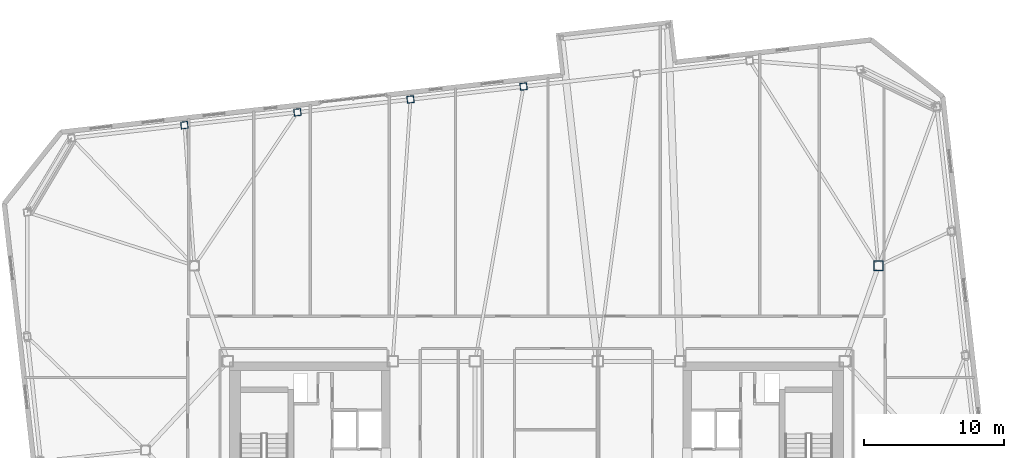
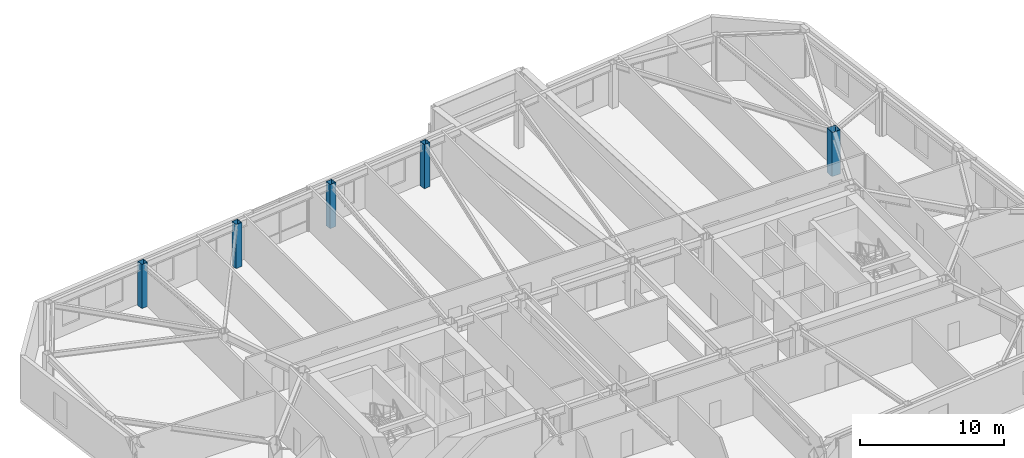
# One storey, part 2 of 19: 5 columns.
"""IFC4 building model written with IfcOpenShell, lengths in metres."""

import ifcopenshell
import ifcopenshell.guid

model = None  # the IFC model being written
_history = None  # IfcOwnerHistory: only IFC2X3 demands one
_inside = {}  # id of a spatial element -> (the spatial element, [elements in it])
_under = {}  # id of a project, library or spatial element -> (it, [spatial elements below it])
_declared = {}  # id of a project -> (the project, [libraries it declares])
_typed = {}  # id of a type object -> (the type object, [elements of that type])
_made_of = {}  # id of a material, layer set ... -> (it, [elements and type objects made of it])


def new_model(schema):
    """Start an empty IFC model of exactly this schema.

    Asked for "IFC4X3", IfcOpenShell would pick the latest addendum, in which some entities
    have other attributes; the version numbers below select the first issue.
    IFC2X3 requires an IfcOwnerHistory on every rooted entity: one is made here for all.
    """
    global model, _history
    if schema == "IFC4X3":
        model = ifcopenshell.file(schema_version=(4, 3, 0, 0))
    else:
        model = ifcopenshell.file(schema=schema)
    _inside.clear()
    _under.clear()
    _declared.clear()
    _typed.clear()
    _made_of.clear()
    _history = None
    if model.schema == "IFC2X3":
        org = make("IfcOrganization", Name="unknown")
        user = make(
            "IfcPersonAndOrganization",
            ThePerson=make("IfcPerson", FamilyName="unknown"),
            TheOrganization=org,
        )
        app = make(
            "IfcApplication",
            ApplicationDeveloper=org,
            Version="unknown",
            ApplicationFullName="unknown",
            ApplicationIdentifier="unknown",
        )
        _history = make(
            "IfcOwnerHistory",
            OwningUser=user,
            OwningApplication=app,
            ChangeAction="ADDED",
            CreationDate=0,
        )
    return model


def make(cls, **values):
    """One entity of the class cls with the attributes given. An attribute that is None is left unset."""
    return model.create_entity(
        cls, **{name: value for name, value in values.items() if value is not None}
    )


def rooted(cls, **values):
    """An entity with a GlobalId (a new one), such as an element, a storey or a relation."""
    return make(cls, GlobalId=ifcopenshell.guid.new(), OwnerHistory=_history, **values)


def si_unit(unit_type, name, prefix=None):
    """IfcSIUnit, for example si_unit("LENGTHUNIT", "METRE", prefix="MILLI")."""
    return make("IfcSIUnit", UnitType=unit_type, Prefix=prefix, Name=name)


def assignment(units):
    """IfcUnitAssignment: the units of a project."""
    return None if units is None else make("IfcUnitAssignment", Units=units)


def point(xyz):
    """IfcCartesianPoint."""
    return None if xyz is None else make("IfcCartesianPoint", Coordinates=xyz)


def direction(xyz):
    """IfcDirection."""
    return None if xyz is None else make("IfcDirection", DirectionRatios=xyz)


def frame(location, z_axis=None, x_axis=None):
    """IfcAxis2Placement3D, a coordinate frame: its origin and axes. An axis left out is left unset."""
    return make(
        "IfcAxis2Placement3D",
        Location=point(location),
        Axis=direction(z_axis),
        RefDirection=direction(x_axis),
    )


def frame_2d(location, x_axis=None):
    """IfcAxis2Placement2D, a coordinate frame in the plane: its origin and x axis."""
    return make(
        "IfcAxis2Placement2D", Location=point(location), RefDirection=direction(x_axis)
    )


def origin():
    """The frame at (0, 0, 0) with its axes left unset."""
    return frame((0.0, 0.0, 0.0))


def origin_2d():
    """The frame at (0, 0) in the plane with its x axis left unset."""
    return frame_2d((0.0, 0.0))


def place(relative_to, where):
    """IfcLocalPlacement: puts the frame where relative to a parent placement (None: the world)."""
    return make(
        "IfcLocalPlacement", PlacementRelTo=relative_to, RelativePlacement=where
    )


def context(
    kind, dimensions, precision=None, world=None, true_north=None, identifier=None
):
    """IfcGeometricRepresentationContext, for example the 3D "Model" context."""
    return make(
        "IfcGeometricRepresentationContext",
        ContextIdentifier=identifier,
        ContextType=kind,
        CoordinateSpaceDimension=dimensions,
        Precision=precision,
        WorldCoordinateSystem=world,
        TrueNorth=true_north,
    )


def subcontext(parent, identifier, kind, view, scale=None):
    """IfcGeometricRepresentationSubContext, for example "Body" below "Model"."""
    return make(
        "IfcGeometricRepresentationSubContext",
        ContextIdentifier=identifier,
        ContextType=kind,
        ParentContext=parent,
        TargetScale=scale,
        TargetView=view,
    )


def project(units=None, contexts=None):
    """IfcProject with its units and contexts."""
    return rooted(
        "IfcProject",
        Name="project",
        RepresentationContexts=contexts,
        UnitsInContext=assignment(units),
    )


def spatial(cls, under=None, at=None, **own):
    """A site, building, storey or space (cls), placed at a placement, below another one or the project."""
    s = rooted(cls, ObjectPlacement=at, **own)
    if under is not None:
        _under.setdefault(under.id(), (under, []))[1].append(s)
    return s


def profile(cls, at=None, kind="AREA", **sizes):
    """A parametric profile (cls). Its sizes go by their IFC names, for example OverallWidth=200.0."""
    return make(cls, ProfileType=kind, Position=at, **sizes)


def hollow_rectangle(**sizes):
    """IfcRectangleHollowProfileDef."""
    return profile("IfcRectangleHollowProfileDef", **sizes)


def extrude(swept, where, along, depth):
    """IfcExtrudedAreaSolid: the profile swept, set in the frame where, extruded along a direction by depth."""
    return make(
        "IfcExtrudedAreaSolid",
        SweptArea=swept,
        Position=where,
        ExtrudedDirection=direction(along),
        Depth=depth,
    )


def shape(context_of_items, identifier, shape_type, items):
    """IfcShapeRepresentation: the items that make up one representation, for example the "Body"."""
    return make(
        "IfcShapeRepresentation",
        ContextOfItems=context_of_items,
        RepresentationIdentifier=identifier,
        RepresentationType=shape_type,
        Items=items,
    )


def material(Name=None, Category=None):
    """IfcMaterial."""
    return make("IfcMaterial", Name=Name, Category=Category)


def material_profile(
    of_material, cross_section, Name=None, Category=None, Priority=None
):
    """IfcMaterialProfile: a cross section and its material."""
    return make(
        "IfcMaterialProfile",
        Name=Name,
        Material=of_material,
        Profile=cross_section,
        Priority=Priority,
        Category=Category,
    )


def profile_set(profiles, Name=None, composite=None):
    """IfcMaterialProfileSet."""
    return make(
        "IfcMaterialProfileSet",
        Name=Name,
        MaterialProfiles=profiles,
        CompositeProfile=composite,
    )


def made_of(thing, what):
    """Note that an element or type object is made of a material, layer set ...; save() writes the relation."""
    if what is not None:
        _made_of.setdefault(what.id(), (what, []))[1].append(thing)
    return thing


def type_object(cls, material=None, **own):
    """A type object (cls), such as IfcWallType, which elements share."""
    return made_of(rooted(cls, **own), material)


def element(
    cls,
    number,
    at=None,
    inside=None,
    cuts=None,
    type_object=None,
    material=None,
    context=None,
    identifier="Body",
    shape_type=None,
    held_by="IfcProductDefinitionShape",
    body=None,
    shapes=None,
    **own,
):
    """One element of the class cls, such as IfcWall. Its Tag is "e" and its number.

    at: its placement. inside: the storey or other place that contains it. cuts: it is an
    opening in that element (IfcRelVoidsElement). A single representation is given by context,
    identifier, shape_type and body (its items); several are given by shapes. held_by: the class
    of the entity that holds the representations. save() writes the other relations.
    """
    e = rooted(cls, Tag="e%d" % number, ObjectPlacement=at, **own)
    if body is not None:
        shapes = [shape(context, identifier, shape_type, body)]
    if shapes is not None:
        e.Representation = make(held_by, Representations=shapes)
    if inside is not None:
        _inside.setdefault(inside.id(), (inside, []))[1].append(e)
    if cuts is not None:
        rooted(
            "IfcRelVoidsElement", RelatingBuildingElement=cuts, RelatedOpeningElement=e
        )
    if type_object is not None:
        _typed.setdefault(type_object.id(), (type_object, []))[1].append(e)
    return made_of(e, material)


def aggregate(whole, parts):
    """IfcRelAggregates: a whole, such as a stair, and the parts it consists of."""
    return rooted("IfcRelAggregates", RelatingObject=whole, RelatedObjects=parts)


def save(model, path):
    """Write the relations noted so far, then the file.

    IfcRelAggregates (storeys below a building ...), IfcRelContainedInSpatialStructure (elements
    in a storey), IfcRelDefinesByType, IfcRelAssociatesMaterial and IfcRelDeclares: one each for
    every whole, place, type object, material and project.
    """
    for whole, parts in _under.values():
        aggregate(whole, parts)
    for where, things in _inside.values():
        rooted(
            "IfcRelContainedInSpatialStructure",
            RelatedElements=things,
            RelatingStructure=where,
        )
    for kind, things in _typed.values():
        rooted("IfcRelDefinesByType", RelatedObjects=things, RelatingType=kind)
    for what, things in _made_of.values():
        rooted("IfcRelAssociatesMaterial", RelatedObjects=things, RelatingMaterial=what)
    for by, libraries in _declared.values():
        rooted("IfcRelDeclares", RelatingContext=by, RelatedDefinitions=libraries)
    model.write(path)


model = new_model("IFC4")

# Units and contexts
model_context = context("Model", 3, precision=1e-05, world=origin(), true_north=direction((0.0, 1.0)))
body_context = subcontext(model_context, "Body", "Model", "MODEL_VIEW")
ifc_project = project(units=[si_unit("LENGTHUNIT", "METRE"), si_unit("AREAUNIT", "SQUARE_METRE"), si_unit("VOLUMEUNIT", "CUBIC_METRE"), si_unit("PLANEANGLEUNIT", "RADIAN"), si_unit("MASSUNIT", "GRAM", prefix="KILO")], contexts=[model_context])

# Site, building, storey
site_placement = place(None, origin())
site = spatial("IfcSite", under=ifc_project, at=site_placement, CompositionType="ELEMENT")
building_placement = place(site_placement, origin())
building = spatial("IfcBuilding", under=site, at=building_placement, Name="Tavrogorsk Clinical Tower", CompositionType="ELEMENT")
storey_placement = place(building_placement, frame((0.0, 0.0, 243.0)))
storey = spatial("IfcBuildingStorey", under=building, at=storey_placement, Name="L56", CompositionType="ELEMENT", Elevation=243.0)

# Columns
ifc_material_1 = material(Name="Structural steel S440", Category="steel")
ifc_material_profile_1 = material_profile(ifc_material_1, hollow_rectangle(XDim=0.699951171875, YDim=0.699951171875, WallThickness=0.031982421875, at=origin_2d()), Name="BOX-700x700x32")
ifc_profile_set_1 = profile_set([ifc_material_profile_1], Name="Structural steel S440")
column_type_1 = type_object("IfcColumnType", Name="MegaCol_BOX700", PredefinedType="COLUMN", material=ifc_profile_set_1)
column_placement = place(storey_placement, frame((24.5, 13.199951171875, 0.0), z_axis=(0.0, 0.0, 1.0), x_axis=(1.0, 0.0, 0.0)))
element("IfcColumn", 1, at=column_placement, inside=storey, type_object=column_type_1, Name="L56 Spine Pilotis Column MC-P4", PredefinedType="COLUMN", context=body_context, shape_type="SweptSolid", body=[
    extrude(hollow_rectangle(XDim=0.699951171875, YDim=0.699951171875, WallThickness=0.031982421875, at=origin_2d()), origin(), (0.0, 0.0, 1.0), 3.739990234375),
])
ifc_material_2 = material(Name="Structural steel S440", Category="steel")
ifc_material_profile_2 = material_profile(ifc_material_2, hollow_rectangle(XDim=0.5, YDim=0.5, WallThickness=0.02490234375, at=origin_2d()), Name="BOX-500x500x25")
ifc_profile_set_2 = profile_set([ifc_material_profile_2], Name="Structural steel S440")
column_type_2 = type_object("IfcColumnType", Name="PerimCol_B4_BOX500", PredefinedType="COLUMN", material=ifc_profile_set_2)
for number, where, z_axis, x_axis, name in (
    (2, (-0.923828125, 26.03515625, 0.0), (0.0, 0.0, 1.0), (0.993571855677, 0.113203213768, 0.0), "L56 Perimeter Column N4"),
    (3, (-9.02001953125, 25.11279296875, 0.0), (0.0, 0.0, 1.0), (0.993571855677, 0.113203213768, 0.0), "L56 Perimeter Column N5"),
    (4, (-17.1162109375, 24.190185546875, 0.0), (0.0, 0.0, 1.0), (0.993571855677, 0.113203213768, 0.0), "L56 Perimeter Column N6"),
    (5, (-25.21240234375, 23.267822265625, 0.0), (0.0, 0.0, 1.0), (0.993571855677, 0.113203213768, 0.0), "L56 Perimeter Column N7"),
):
    element("IfcColumn", number, at=place(storey_placement, frame(where, z_axis=z_axis, x_axis=x_axis)), inside=storey, type_object=column_type_2, Name=name, PredefinedType="COLUMN", context=body_context, shape_type="SweptSolid", body=[
        extrude(hollow_rectangle(XDim=0.5, YDim=0.5, WallThickness=0.02490234375, at=origin_2d()), origin(), (0.0, 0.0, 1.0), 3.739990234375),
    ])

save(model, "model.ifc")
